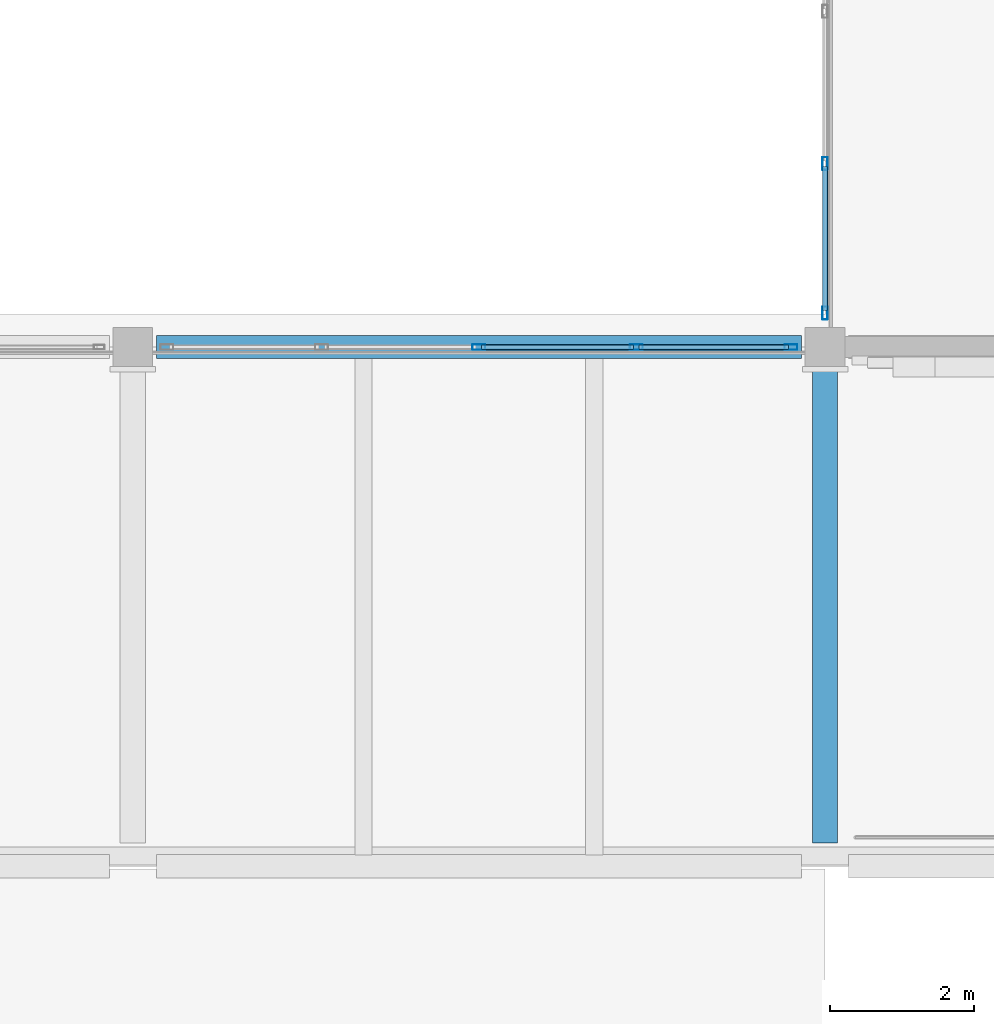
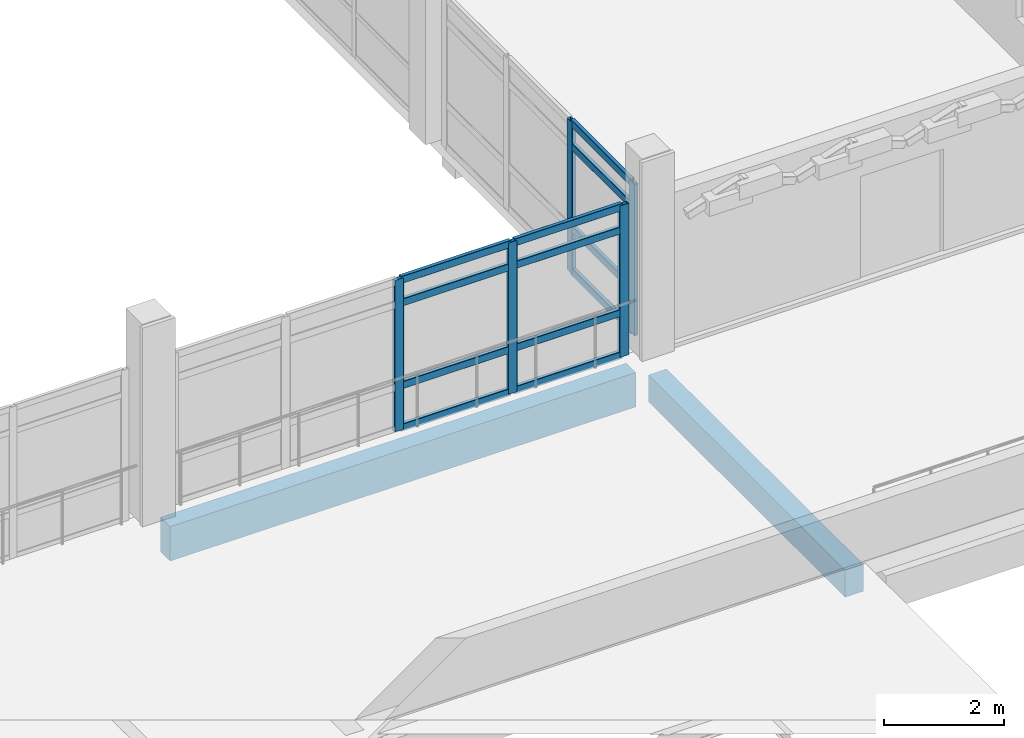
# One storey, part 13 of 50: 17 members, 2 beams, 2 elements without a shape of their own.
"""IFC4 building model written with IfcOpenShell, lengths in metres."""

import ifcopenshell
import ifcopenshell.guid

model = None  # the IFC model being written
_history = None  # IfcOwnerHistory: only IFC2X3 demands one
_inside = {}  # id of a spatial element -> (the spatial element, [elements in it])
_under = {}  # id of a project, library or spatial element -> (it, [spatial elements below it])
_declared = {}  # id of a project -> (the project, [libraries it declares])
_typed = {}  # id of a type object -> (the type object, [elements of that type])
_made_of = {}  # id of a material, layer set ... -> (it, [elements and type objects made of it])


def new_model(schema):
    """Start an empty IFC model of exactly this schema.

    Asked for "IFC4X3", IfcOpenShell would pick the latest addendum, in which some entities
    have other attributes; the version numbers below select the first issue.
    IFC2X3 requires an IfcOwnerHistory on every rooted entity: one is made here for all.
    """
    global model, _history
    if schema == "IFC4X3":
        model = ifcopenshell.file(schema_version=(4, 3, 0, 0))
    else:
        model = ifcopenshell.file(schema=schema)
    _inside.clear()
    _under.clear()
    _declared.clear()
    _typed.clear()
    _made_of.clear()
    _history = None
    if model.schema == "IFC2X3":
        org = make("IfcOrganization", Name="unknown")
        user = make(
            "IfcPersonAndOrganization",
            ThePerson=make("IfcPerson", FamilyName="unknown"),
            TheOrganization=org,
        )
        app = make(
            "IfcApplication",
            ApplicationDeveloper=org,
            Version="unknown",
            ApplicationFullName="unknown",
            ApplicationIdentifier="unknown",
        )
        _history = make(
            "IfcOwnerHistory",
            OwningUser=user,
            OwningApplication=app,
            ChangeAction="ADDED",
            CreationDate=0,
        )
    return model


def make(cls, **values):
    """One entity of the class cls with the attributes given. An attribute that is None is left unset."""
    return model.create_entity(
        cls, **{name: value for name, value in values.items() if value is not None}
    )


def rooted(cls, **values):
    """An entity with a GlobalId (a new one), such as an element, a storey or a relation."""
    return make(cls, GlobalId=ifcopenshell.guid.new(), OwnerHistory=_history, **values)


def si_unit(unit_type, name, prefix=None):
    """IfcSIUnit, for example si_unit("LENGTHUNIT", "METRE", prefix="MILLI")."""
    return make("IfcSIUnit", UnitType=unit_type, Prefix=prefix, Name=name)


def assignment(units):
    """IfcUnitAssignment: the units of a project."""
    return None if units is None else make("IfcUnitAssignment", Units=units)


def point(xyz):
    """IfcCartesianPoint."""
    return None if xyz is None else make("IfcCartesianPoint", Coordinates=xyz)


def direction(xyz):
    """IfcDirection."""
    return None if xyz is None else make("IfcDirection", DirectionRatios=xyz)


def frame(location, z_axis=None, x_axis=None):
    """IfcAxis2Placement3D, a coordinate frame: its origin and axes. An axis left out is left unset."""
    return make(
        "IfcAxis2Placement3D",
        Location=point(location),
        Axis=direction(z_axis),
        RefDirection=direction(x_axis),
    )


def frame_2d(location, x_axis=None):
    """IfcAxis2Placement2D, a coordinate frame in the plane: its origin and x axis."""
    return make(
        "IfcAxis2Placement2D", Location=point(location), RefDirection=direction(x_axis)
    )


def origin():
    """The frame at (0, 0, 0) with its axes left unset."""
    return frame((0.0, 0.0, 0.0))


def origin_2d():
    """The frame at (0, 0) in the plane with its x axis left unset."""
    return frame_2d((0.0, 0.0))


def place(relative_to, where):
    """IfcLocalPlacement: puts the frame where relative to a parent placement (None: the world)."""
    return make(
        "IfcLocalPlacement", PlacementRelTo=relative_to, RelativePlacement=where
    )


def context(
    kind, dimensions, precision=None, world=None, true_north=None, identifier=None
):
    """IfcGeometricRepresentationContext, for example the 3D "Model" context."""
    return make(
        "IfcGeometricRepresentationContext",
        ContextIdentifier=identifier,
        ContextType=kind,
        CoordinateSpaceDimension=dimensions,
        Precision=precision,
        WorldCoordinateSystem=world,
        TrueNorth=true_north,
    )


def subcontext(parent, identifier, kind, view, scale=None):
    """IfcGeometricRepresentationSubContext, for example "Body" below "Model"."""
    return make(
        "IfcGeometricRepresentationSubContext",
        ContextIdentifier=identifier,
        ContextType=kind,
        ParentContext=parent,
        TargetScale=scale,
        TargetView=view,
    )


def project(units=None, contexts=None):
    """IfcProject with its units and contexts."""
    return rooted(
        "IfcProject",
        Name="project",
        RepresentationContexts=contexts,
        UnitsInContext=assignment(units),
    )


def spatial(cls, under=None, at=None, **own):
    """A site, building, storey or space (cls), placed at a placement, below another one or the project."""
    s = rooted(cls, ObjectPlacement=at, **own)
    if under is not None:
        _under.setdefault(under.id(), (under, []))[1].append(s)
    return s


def profile(cls, at=None, kind="AREA", **sizes):
    """A parametric profile (cls). Its sizes go by their IFC names, for example OverallWidth=200.0."""
    return make(cls, ProfileType=kind, Position=at, **sizes)


def rectangle(**sizes):
    """IfcRectangleProfileDef."""
    return profile("IfcRectangleProfileDef", **sizes)


def hollow_rectangle(**sizes):
    """IfcRectangleHollowProfileDef."""
    return profile("IfcRectangleHollowProfileDef", **sizes)


def extrude(swept, where, along, depth):
    """IfcExtrudedAreaSolid: the profile swept, set in the frame where, extruded along a direction by depth."""
    return make(
        "IfcExtrudedAreaSolid",
        SweptArea=swept,
        Position=where,
        ExtrudedDirection=direction(along),
        Depth=depth,
    )


def shape(context_of_items, identifier, shape_type, items):
    """IfcShapeRepresentation: the items that make up one representation, for example the "Body"."""
    return make(
        "IfcShapeRepresentation",
        ContextOfItems=context_of_items,
        RepresentationIdentifier=identifier,
        RepresentationType=shape_type,
        Items=items,
    )


def material(Name=None, Category=None):
    """IfcMaterial."""
    return make("IfcMaterial", Name=Name, Category=Category)


def layer(
    of_material, thickness, ventilated=None, Name=None, Category=None, Priority=None
):
    """IfcMaterialLayer: one layer of a wall or slab, of a material (None: an air gap)."""
    return make(
        "IfcMaterialLayer",
        Material=of_material,
        LayerThickness=thickness,
        IsVentilated=ventilated,
        Name=Name,
        Category=Category,
        Priority=Priority,
    )


def layer_set(layers, Name=None):
    """IfcMaterialLayerSet."""
    return make("IfcMaterialLayerSet", MaterialLayers=layers, LayerSetName=Name)


def material_profile(
    of_material, cross_section, Name=None, Category=None, Priority=None
):
    """IfcMaterialProfile: a cross section and its material."""
    return make(
        "IfcMaterialProfile",
        Name=Name,
        Material=of_material,
        Profile=cross_section,
        Priority=Priority,
        Category=Category,
    )


def profile_set(profiles, Name=None, composite=None):
    """IfcMaterialProfileSet."""
    return make(
        "IfcMaterialProfileSet",
        Name=Name,
        MaterialProfiles=profiles,
        CompositeProfile=composite,
    )


def made_of(thing, what):
    """Note that an element or type object is made of a material, layer set ...; save() writes the relation."""
    if what is not None:
        _made_of.setdefault(what.id(), (what, []))[1].append(thing)
    return thing


def type_object(cls, material=None, **own):
    """A type object (cls), such as IfcWallType, which elements share."""
    return made_of(rooted(cls, **own), material)


def element(
    cls,
    number,
    at=None,
    inside=None,
    cuts=None,
    type_object=None,
    material=None,
    context=None,
    identifier="Body",
    shape_type=None,
    held_by="IfcProductDefinitionShape",
    body=None,
    shapes=None,
    **own,
):
    """One element of the class cls, such as IfcWall. Its Tag is "e" and its number.

    at: its placement. inside: the storey or other place that contains it. cuts: it is an
    opening in that element (IfcRelVoidsElement). A single representation is given by context,
    identifier, shape_type and body (its items); several are given by shapes. held_by: the class
    of the entity that holds the representations. save() writes the other relations.
    """
    e = rooted(cls, Tag="e%d" % number, ObjectPlacement=at, **own)
    if body is not None:
        shapes = [shape(context, identifier, shape_type, body)]
    if shapes is not None:
        e.Representation = make(held_by, Representations=shapes)
    if inside is not None:
        _inside.setdefault(inside.id(), (inside, []))[1].append(e)
    if cuts is not None:
        rooted(
            "IfcRelVoidsElement", RelatingBuildingElement=cuts, RelatedOpeningElement=e
        )
    if type_object is not None:
        _typed.setdefault(type_object.id(), (type_object, []))[1].append(e)
    return made_of(e, material)


def aggregate(whole, parts):
    """IfcRelAggregates: a whole, such as a stair, and the parts it consists of."""
    return rooted("IfcRelAggregates", RelatingObject=whole, RelatedObjects=parts)


def save(model, path):
    """Write the relations noted so far, then the file.

    IfcRelAggregates (storeys below a building ...), IfcRelContainedInSpatialStructure (elements
    in a storey), IfcRelDefinesByType, IfcRelAssociatesMaterial and IfcRelDeclares: one each for
    every whole, place, type object, material and project.
    """
    for whole, parts in _under.values():
        aggregate(whole, parts)
    for where, things in _inside.values():
        rooted(
            "IfcRelContainedInSpatialStructure",
            RelatedElements=things,
            RelatingStructure=where,
        )
    for kind, things in _typed.values():
        rooted("IfcRelDefinesByType", RelatedObjects=things, RelatingType=kind)
    for what, things in _made_of.values():
        rooted("IfcRelAssociatesMaterial", RelatedObjects=things, RelatingMaterial=what)
    for by, libraries in _declared.values():
        rooted("IfcRelDeclares", RelatingContext=by, RelatedDefinitions=libraries)
    model.write(path)


model = new_model("IFC4")

# Units and contexts
model_context = context("Model", 3, precision=1e-05, world=origin(), true_north=direction((0.0, 1.0)))
body_context = subcontext(model_context, "Body", "Model", "MODEL_VIEW")
ifc_project = project(units=[si_unit("LENGTHUNIT", "METRE"), si_unit("AREAUNIT", "SQUARE_METRE"), si_unit("VOLUMEUNIT", "CUBIC_METRE"), si_unit("PLANEANGLEUNIT", "RADIAN"), si_unit("MASSUNIT", "GRAM", prefix="KILO")], contexts=[model_context])

# Site, building, storey
site_placement = place(None, origin())
site = spatial("IfcSite", under=ifc_project, at=site_placement, CompositionType="ELEMENT")
building_placement = place(site_placement, origin())
building = spatial("IfcBuilding", under=site, at=building_placement, Name="Asteropetra Specialist Clinic", CompositionType="ELEMENT")
storey_placement = place(building_placement, frame((0.0, 0.0, 16.659912109375)))
storey = spatial("IfcBuildingStorey", under=building, at=storey_placement, Name="L04", CompositionType="ELEMENT", Elevation=16.659912109375)

# Beam
ifc_material_1 = material(Name="Concrete C35/45", Category="concrete")
ifc_material_profile_1 = material_profile(ifc_material_1, rectangle(XDim=0.35009765625, YDim=0.550048828125, at=origin_2d()), Name="RCB 350x550")
ifc_profile_set_1 = profile_set([ifc_material_profile_1], Name="Concrete C35/45")
beam_type_1 = type_object("IfcBeamType", Name="BM-RC350x550", PredefinedType="BEAM", material=ifc_profile_set_1)
beam_1_placement = place(storey_placement, frame((28.800048828125, 69.925048828125, -0.5849609375), z_axis=(0.0, 1.0, 0.0), x_axis=(-1.0, 0.0, 0.0)))
element("IfcBeam", 1, at=beam_1_placement, inside=storey, type_object=beam_type_1, Name="Beam BBM10-1694", PredefinedType="BEAM", context=body_context, shape_type="SweptSolid", body=[
    extrude(rectangle(XDim=0.35009765625, YDim=0.550048828125, at=origin_2d()), origin(), (0.0, 0.0, 1.0), 6.550048828125),
])

# Curtain wall, members
ifc_material_2 = material(Name="Aluminium and low-E glass", Category="aluminium")
ifc_layer_1 = layer(ifc_material_2, 0.135009765625)
ifc_layer_set_1 = layer_set([ifc_layer_1], Name="Aluminium and low-E glass")
curtain_wall_type_1 = type_object("IfcCurtainWallType", Name="CW-SYS-03", PredefinedType="USERDEFINED", material=ifc_layer_set_1)
curtain_wall_1_placement = place(storey_placement, origin())
curtain_wall_1 = element("IfcCurtainWall", 2, at=curtain_wall_1_placement, inside=storey, type_object=curtain_wall_type_1, Name="Curtain Wall CW-051", ObjectType="UNITISED CURTAIN WALL", PredefinedType="USERDEFINED")
ifc_material_3 = material(Name="Aluminium 6063-T6", Category="aluminium")
ifc_material_profile_2 = material_profile(ifc_material_3, hollow_rectangle(XDim=0.074951171875, YDim=0.179931640625, WallThickness=0.00390625, InnerFilletRadius=0.00390625, OuterFilletRadius=0.008056640625, at=origin_2d()), Name="MUL 180x75x4.0")
ifc_profile_set_2 = profile_set([ifc_material_profile_2], Name="Aluminium 6063-T6")
member_type_1 = type_object("IfcMemberType", Name="CWM-180x75", PredefinedType="MULLION", material=ifc_profile_set_2)
member_1_placement = place(storey_placement, frame((24.0, 76.800048828125, 0.0), z_axis=(0.0, 0.0, 1.0), x_axis=(0.0, 1.0, 0.0)))
member_1 = element("IfcMember", 3, at=member_1_placement, type_object=member_type_1, Name="CW-051 mullion 3", PredefinedType="MULLION", context=body_context, shape_type="SweptSolid", body=[
    extrude(hollow_rectangle(XDim=0.074951171875, YDim=0.179931640625, WallThickness=0.00390625, InnerFilletRadius=0.00390625, OuterFilletRadius=0.008056640625, at=origin_2d()), origin(), (0.0, 0.0, 1.0), 3.080078125),
])
member_2_placement = place(storey_placement, frame((26.1826171875, 76.800048828125, 0.0), z_axis=(0.0, 0.0, 1.0), x_axis=(0.0, 1.0, 0.0)))
member_2 = element("IfcMember", 4, at=member_2_placement, type_object=member_type_1, Name="CW-051 mullion 4", PredefinedType="MULLION", context=body_context, shape_type="SweptSolid", body=[
    extrude(hollow_rectangle(XDim=0.074951171875, YDim=0.179931640625, WallThickness=0.00390625, InnerFilletRadius=0.00390625, OuterFilletRadius=0.008056640625, at=origin_2d()), origin(), (0.0, 0.0, 1.0), 3.080078125),
])
member_3_placement = place(storey_placement, frame((28.327392578125, 76.800048828125, 0.0), z_axis=(0.0, 0.0, 1.0), x_axis=(0.0, 1.0, 0.0)))
member_3 = element("IfcMember", 5, at=member_3_placement, type_object=member_type_1, Name="CW-051 mullion 5", PredefinedType="MULLION", context=body_context, shape_type="SweptSolid", body=[
    extrude(hollow_rectangle(XDim=0.074951171875, YDim=0.179931640625, WallThickness=0.00390625, InnerFilletRadius=0.00390625, OuterFilletRadius=0.008056640625, at=origin_2d()), origin(), (0.0, 0.0, 1.0), 3.080078125),
])

ifc_material_4 = material(Name="Aluminium and low-E glass", Category="aluminium")
ifc_layer_2 = layer(ifc_material_4, 0.14990234375)
ifc_layer_set_2 = layer_set([ifc_layer_2], Name="Aluminium and low-E glass")
curtain_wall_type_2 = type_object("IfcCurtainWallType", Name="CW-SYS-05", PredefinedType="USERDEFINED", material=ifc_layer_set_2)
curtain_wall_2_placement = place(storey_placement, origin())
curtain_wall_2 = element("IfcCurtainWall", 6, at=curtain_wall_2_placement, inside=storey, type_object=curtain_wall_type_2, Name="Curtain Wall CW-054", ObjectType="UNITISED CURTAIN WALL", PredefinedType="USERDEFINED")
member_4_placement = place(storey_placement, frame((28.800048828125, 77.2724609375, 0.0), z_axis=(0.0, 0.0, 1.0), x_axis=(-1.0, 0.0, 0.0)))
member_4 = element("IfcMember", 7, at=member_4_placement, type_object=member_type_1, Name="CW-054 mullion 1", PredefinedType="MULLION", context=body_context, shape_type="SweptSolid", body=[
    extrude(hollow_rectangle(XDim=0.074951171875, YDim=0.179931640625, WallThickness=0.00390625, InnerFilletRadius=0.00390625, OuterFilletRadius=0.008056640625, at=origin_2d()), origin(), (0.0, 0.0, 1.0), 3.080078125),
])
member_5_placement = place(storey_placement, frame((28.800048828125, 79.344970703125, 0.0), z_axis=(0.0, 0.0, 1.0), x_axis=(-1.0, 0.0, 0.0)))
member_5 = element("IfcMember", 8, at=member_5_placement, type_object=member_type_1, Name="CW-054 mullion 2", PredefinedType="MULLION", context=body_context, shape_type="SweptSolid", body=[
    extrude(hollow_rectangle(XDim=0.074951171875, YDim=0.179931640625, WallThickness=0.00390625, InnerFilletRadius=0.00390625, OuterFilletRadius=0.008056640625, at=origin_2d()), origin(), (0.0, 0.0, 1.0), 3.080078125),
])

# Member
ifc_material_5 = material(Name="Aluminium 6063-T6", Category="aluminium")
ifc_material_profile_3 = material_profile(ifc_material_5, hollow_rectangle(XDim=0.074951171875, YDim=0.14990234375, WallThickness=0.00390625, InnerFilletRadius=0.00390625, OuterFilletRadius=0.008056640625, at=origin_2d()), Name="TRN 150x75x4.0")
ifc_profile_set_3 = profile_set([ifc_material_profile_3], Name="Aluminium 6063-T6")
member_type_2 = type_object("IfcMemberType", Name="CWT-150x75", PredefinedType="USERDEFINED", material=ifc_profile_set_3)
member_6_placement = place(storey_placement, frame((24.03759765625, 76.800048828125, 0.03759765625), z_axis=(1.0, 0.0, 0.0), x_axis=(0.0, 1.0, 0.0)))
member_6 = element("IfcMember", 9, at=member_6_placement, type_object=member_type_2, Name="CW-051 transom 3.1", ObjectType="TRANSOM", PredefinedType="USERDEFINED", context=body_context, shape_type="SweptSolid", body=[
    extrude(hollow_rectangle(XDim=0.074951171875, YDim=0.14990234375, WallThickness=0.00390625, InnerFilletRadius=0.00390625, OuterFilletRadius=0.008056640625, at=origin_2d()), origin(), (0.0, 0.0, 1.0), 2.107421875),
])

member_7_placement = place(storey_placement, frame((24.03759765625, 76.800048828125, 0.900146484375), z_axis=(1.0, 0.0, 0.0), x_axis=(0.0, 1.0, 0.0)))
member_7 = element("IfcMember", 10, at=member_7_placement, type_object=member_type_2, Name="CW-051 transom 3.2", ObjectType="TRANSOM", PredefinedType="USERDEFINED", context=body_context, shape_type="SweptSolid", body=[
    extrude(hollow_rectangle(XDim=0.074951171875, YDim=0.14990234375, WallThickness=0.00390625, InnerFilletRadius=0.00390625, OuterFilletRadius=0.008056640625, at=origin_2d()), origin(), (0.0, 0.0, 1.0), 2.107421875),
])

member_8_placement = place(storey_placement, frame((24.03759765625, 76.800048828125, 2.580078125), z_axis=(1.0, 0.0, 0.0), x_axis=(0.0, 1.0, 0.0)))
member_8 = element("IfcMember", 11, at=member_8_placement, type_object=member_type_2, Name="CW-051 transom 3.3", ObjectType="TRANSOM", PredefinedType="USERDEFINED", context=body_context, shape_type="SweptSolid", body=[
    extrude(hollow_rectangle(XDim=0.074951171875, YDim=0.14990234375, WallThickness=0.00390625, InnerFilletRadius=0.00390625, OuterFilletRadius=0.008056640625, at=origin_2d()), origin(), (0.0, 0.0, 1.0), 2.107421875),
])

member_9_placement = place(storey_placement, frame((24.03759765625, 76.800048828125, 3.04248046875), z_axis=(1.0, 0.0, 0.0), x_axis=(0.0, 1.0, 0.0)))
member_9 = element("IfcMember", 12, at=member_9_placement, type_object=member_type_2, Name="CW-051 transom 3.4", ObjectType="TRANSOM", PredefinedType="USERDEFINED", context=body_context, shape_type="SweptSolid", body=[
    extrude(hollow_rectangle(XDim=0.074951171875, YDim=0.14990234375, WallThickness=0.00390625, InnerFilletRadius=0.00390625, OuterFilletRadius=0.008056640625, at=origin_2d()), origin(), (0.0, 0.0, 1.0), 2.107421875),
])

member_10_placement = place(storey_placement, frame((26.219970703125, 76.800048828125, 0.03759765625), z_axis=(1.0, 0.0, 0.0), x_axis=(0.0, 1.0, 0.0)))
member_10 = element("IfcMember", 13, at=member_10_placement, type_object=member_type_2, Name="CW-051 transom 4.1", ObjectType="TRANSOM", PredefinedType="USERDEFINED", context=body_context, shape_type="SweptSolid", body=[
    extrude(hollow_rectangle(XDim=0.074951171875, YDim=0.14990234375, WallThickness=0.00390625, InnerFilletRadius=0.00390625, OuterFilletRadius=0.008056640625, at=origin_2d()), origin(), (0.0, 0.0, 1.0), 2.070068359375),
])

member_11_placement = place(storey_placement, frame((26.219970703125, 76.800048828125, 0.900146484375), z_axis=(1.0, 0.0, 0.0), x_axis=(0.0, 1.0, 0.0)))
member_11 = element("IfcMember", 14, at=member_11_placement, type_object=member_type_2, Name="CW-051 transom 4.2", ObjectType="TRANSOM", PredefinedType="USERDEFINED", context=body_context, shape_type="SweptSolid", body=[
    extrude(hollow_rectangle(XDim=0.074951171875, YDim=0.14990234375, WallThickness=0.00390625, InnerFilletRadius=0.00390625, OuterFilletRadius=0.008056640625, at=origin_2d()), origin(), (0.0, 0.0, 1.0), 2.070068359375),
])

member_12_placement = place(storey_placement, frame((26.219970703125, 76.800048828125, 2.580078125), z_axis=(1.0, 0.0, 0.0), x_axis=(0.0, 1.0, 0.0)))
member_12 = element("IfcMember", 15, at=member_12_placement, type_object=member_type_2, Name="CW-051 transom 4.3", ObjectType="TRANSOM", PredefinedType="USERDEFINED", context=body_context, shape_type="SweptSolid", body=[
    extrude(hollow_rectangle(XDim=0.074951171875, YDim=0.14990234375, WallThickness=0.00390625, InnerFilletRadius=0.00390625, OuterFilletRadius=0.008056640625, at=origin_2d()), origin(), (0.0, 0.0, 1.0), 2.070068359375),
])

member_13_placement = place(storey_placement, frame((26.219970703125, 76.800048828125, 3.04248046875), z_axis=(1.0, 0.0, 0.0), x_axis=(0.0, 1.0, 0.0)))
member_13 = element("IfcMember", 16, at=member_13_placement, type_object=member_type_2, Name="CW-051 transom 4.4", ObjectType="TRANSOM", PredefinedType="USERDEFINED", context=body_context, shape_type="SweptSolid", body=[
    extrude(hollow_rectangle(XDim=0.074951171875, YDim=0.14990234375, WallThickness=0.00390625, InnerFilletRadius=0.00390625, OuterFilletRadius=0.008056640625, at=origin_2d()), origin(), (0.0, 0.0, 1.0), 2.070068359375),
])

aggregate(curtain_wall_1, [member_1, member_2, member_3, member_6, member_7, member_8, member_9, member_10, member_11, member_12, member_13])

member_14_placement = place(storey_placement, frame((28.800048828125, 77.31005859375, 0.03759765625), z_axis=(0.0, 1.0, 0.0), x_axis=(-1.0, 0.0, 0.0)))
member_14 = element("IfcMember", 17, at=member_14_placement, type_object=member_type_2, Name="CW-054 transom 1.1", ObjectType="TRANSOM", PredefinedType="USERDEFINED", context=body_context, shape_type="SweptSolid", body=[
    extrude(hollow_rectangle(XDim=0.074951171875, YDim=0.14990234375, WallThickness=0.00390625, InnerFilletRadius=0.00390625, OuterFilletRadius=0.008056640625, at=origin_2d()), origin(), (0.0, 0.0, 1.0), 1.99755859375),
])

member_15_placement = place(storey_placement, frame((28.800048828125, 77.31005859375, 0.900146484375), z_axis=(0.0, 1.0, 0.0), x_axis=(-1.0, 0.0, 0.0)))
member_15 = element("IfcMember", 18, at=member_15_placement, type_object=member_type_2, Name="CW-054 transom 1.2", ObjectType="TRANSOM", PredefinedType="USERDEFINED", context=body_context, shape_type="SweptSolid", body=[
    extrude(hollow_rectangle(XDim=0.074951171875, YDim=0.14990234375, WallThickness=0.00390625, InnerFilletRadius=0.00390625, OuterFilletRadius=0.008056640625, at=origin_2d()), origin(), (0.0, 0.0, 1.0), 1.99755859375),
])

member_16_placement = place(storey_placement, frame((28.800048828125, 77.31005859375, 2.580078125), z_axis=(0.0, 1.0, 0.0), x_axis=(-1.0, 0.0, 0.0)))
member_16 = element("IfcMember", 19, at=member_16_placement, type_object=member_type_2, Name="CW-054 transom 1.3", ObjectType="TRANSOM", PredefinedType="USERDEFINED", context=body_context, shape_type="SweptSolid", body=[
    extrude(hollow_rectangle(XDim=0.074951171875, YDim=0.14990234375, WallThickness=0.00390625, InnerFilletRadius=0.00390625, OuterFilletRadius=0.008056640625, at=origin_2d()), origin(), (0.0, 0.0, 1.0), 1.99755859375),
])

member_17_placement = place(storey_placement, frame((28.800048828125, 77.31005859375, 3.04248046875), z_axis=(0.0, 1.0, 0.0), x_axis=(-1.0, 0.0, 0.0)))
member_17 = element("IfcMember", 20, at=member_17_placement, type_object=member_type_2, Name="CW-054 transom 1.4", ObjectType="TRANSOM", PredefinedType="USERDEFINED", context=body_context, shape_type="SweptSolid", body=[
    extrude(hollow_rectangle(XDim=0.074951171875, YDim=0.14990234375, WallThickness=0.00390625, InnerFilletRadius=0.00390625, OuterFilletRadius=0.008056640625, at=origin_2d()), origin(), (0.0, 0.0, 1.0), 1.99755859375),
])

aggregate(curtain_wall_2, [member_4, member_5, member_14, member_15, member_16, member_17])

# Beam
ifc_material_6 = material(Name="Concrete C35/45", Category="concrete")
ifc_material_profile_4 = material_profile(ifc_material_6, rectangle(XDim=0.320068359375, YDim=0.699951171875, at=origin_2d()), Name="RCS 320x700")
ifc_profile_set_4 = profile_set([ifc_material_profile_4], Name="Concrete C35/45")
beam_type_2 = type_object("IfcBeamType", Name="SPN-RC320x700", PredefinedType="SPANDREL", material=ifc_profile_set_4)
beam_2_placement = place(storey_placement, frame((19.52490234375, 76.800048828125, -0.659912109375), z_axis=(1.0, 0.0, 0.0), x_axis=(0.0, 1.0, 0.0)))
element("IfcBeam", 21, at=beam_2_placement, inside=storey, type_object=beam_type_2, Name="Beam BSPN02-1689", PredefinedType="SPANDREL", context=body_context, shape_type="SweptSolid", body=[
    extrude(rectangle(XDim=0.320068359375, YDim=0.699951171875, at=origin_2d()), origin(), (0.0, 0.0, 1.0), 8.9501953125),
])

save(model, "model.ifc")
